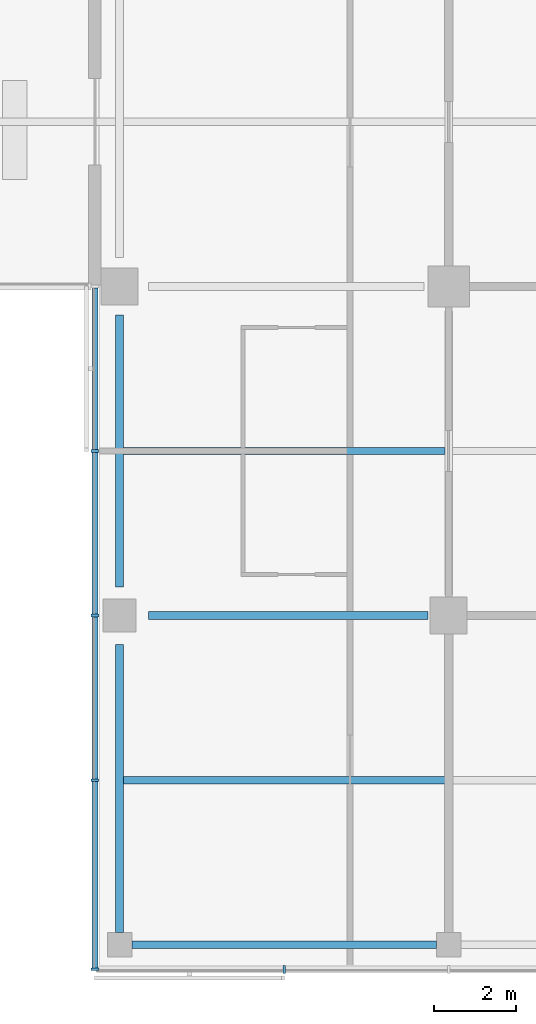
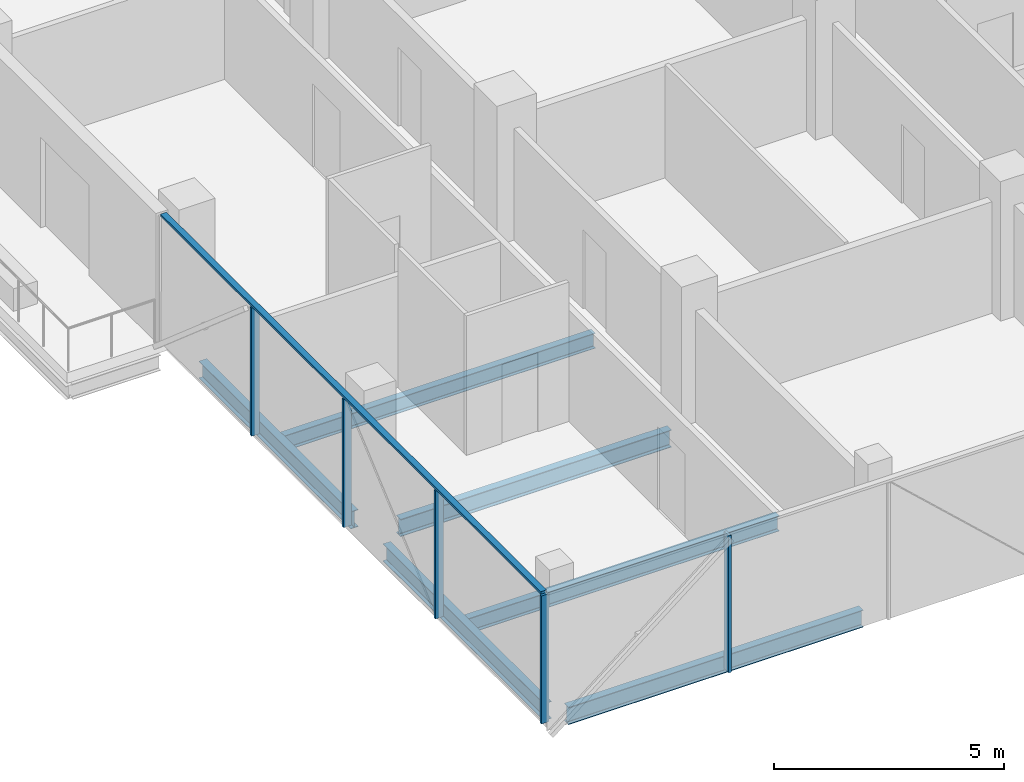
# One storey, part 2 of 25: 6 beams, 6 members, 2 elements without a shape of their own.
"""IFC4 building model written with IfcOpenShell, lengths in metres."""

from ifc_helpers import new_model, si_unit, direction, frame, origin, origin_2d, place, context, subcontext, project, spatial, rectangle, i_section, extrude, material, material_profile, profile_set, type_object, element, aggregate, save


model = new_model("IFC4")

# Units and contexts
model_context = context("Model", 3, precision=1e-05, world=origin(), true_north=direction((0.0, 1.0)))
body_context = subcontext(model_context, "Body", "Model", "MODEL_VIEW")
ifc_project = project(units=[si_unit("LENGTHUNIT", "METRE"), si_unit("AREAUNIT", "SQUARE_METRE"), si_unit("VOLUMEUNIT", "CUBIC_METRE"), si_unit("PLANEANGLEUNIT", "RADIAN"), si_unit("MASSUNIT", "GRAM", prefix="KILO")], contexts=[model_context])

# Site, building, storey
site_placement = place(None, origin())
site = spatial("IfcSite", under=ifc_project, at=site_placement, CompositionType="ELEMENT")
building_placement = place(site_placement, origin())
building = spatial("IfcBuilding", under=site, at=building_placement, Name="Crosswind Convention Tower", CompositionType="ELEMENT")
storey_placement = place(building_placement, frame((0.0, 0.0, 97.89990234375)))
storey = spatial("IfcBuildingStorey", under=building, at=storey_placement, Name="L19", CompositionType="ELEMENT", Elevation=97.89990234375)

# Beams
ifc_material_1 = material(Name="Steel S355", Category="steel")
ifc_material_profile_1 = material_profile(ifc_material_1, i_section(OverallWidth=0.1904296875, OverallDepth=0.457275390625, WebThickness=0.009033203125, FlangeThickness=0.014404296875, FilletRadius=0.01025390625, at=origin_2d()), Name="UB 457x191x75")
ifc_profile_set_1 = profile_set([ifc_material_profile_1], Name="Steel S355")
beam_type_1 = type_object("IfcBeamType", Name="Edge beam UB 457x191x75", PredefinedType="SPANDREL", material=ifc_profile_set_1)
beam_1_placement = place(storey_placement, frame((113.0, 64.300048828125, -0.508544921875), z_axis=(0.0, 1.0, 0.0), x_axis=(-1.0, 0.0, 0.0)))
element("IfcBeam", 1, at=beam_1_placement, inside=storey, type_object=beam_type_1, Name="B17 L19 edge beam 6", PredefinedType="SPANDREL", context=body_context, shape_type="SweptSolid", body=[
    extrude(i_section(OverallWidth=0.1904296875, OverallDepth=0.457275390625, WebThickness=0.009033203125, FlangeThickness=0.014404296875, FilletRadius=0.01025390625, at=origin_2d()), origin(), (0.0, 0.0, 1.0), 7.0),
])
beam_2_placement = place(storey_placement, frame((113.0, 72.699951171875, -0.508544921875), z_axis=(0.0, 1.0, 0.0), x_axis=(-1.0, 0.0, 0.0)))
element("IfcBeam", 2, at=beam_2_placement, inside=storey, type_object=beam_type_1, Name="B17 L19 edge beam 7", PredefinedType="SPANDREL", context=body_context, shape_type="SweptSolid", body=[
    extrude(i_section(OverallWidth=0.1904296875, OverallDepth=0.457275390625, WebThickness=0.009033203125, FlangeThickness=0.014404296875, FilletRadius=0.01025390625, at=origin_2d()), origin(), (0.0, 0.0, 1.0), 6.60009765625),
])
beam_3_placement = place(storey_placement, frame((113.300048828125, 64.0, -0.508544921875), z_axis=(1.0, 0.0, 0.0), x_axis=(0.0, 1.0, 0.0)))
element("IfcBeam", 3, at=beam_3_placement, inside=storey, type_object=beam_type_1, Name="B17 L19 edge beam 12", PredefinedType="SPANDREL", context=body_context, shape_type="SweptSolid", body=[
    extrude(i_section(OverallWidth=0.1904296875, OverallDepth=0.457275390625, WebThickness=0.009033203125, FlangeThickness=0.014404296875, FilletRadius=0.01025390625, at=origin_2d()), origin(), (0.0, 0.0, 1.0), 7.39990234375),
])
ifc_material_profile_2 = material_profile(ifc_material_1, i_section(OverallWidth=0.19140625, OverallDepth=0.460205078125, WebThickness=0.010009765625, FlangeThickness=0.01611328125, FilletRadius=0.01025390625, at=origin_2d()), Name="UB 457x191x82")
ifc_profile_set_2 = profile_set([ifc_material_profile_2], Name="Steel S355")
beam_type_2 = type_object("IfcBeamType", Name="Girder UB 457x191x82", PredefinedType="BEAM", material=ifc_profile_set_2)
beam_4_placement = place(storey_placement, frame((113.699951171875, 72.0, -0.510009765625), z_axis=(1.0, 0.0, 0.0), x_axis=(0.0, 1.0, 0.0)))
element("IfcBeam", 4, at=beam_4_placement, inside=storey, type_object=beam_type_2, Name="B3 L19 girder 1", PredefinedType="BEAM", context=body_context, shape_type="SweptSolid", body=[
    extrude(i_section(OverallWidth=0.19140625, OverallDepth=0.460205078125, WebThickness=0.010009765625, FlangeThickness=0.01611328125, FilletRadius=0.01025390625, at=origin_2d()), origin(), (0.0, 0.0, 1.0), 6.800048828125),
])

# Curtain wall, members
ifc_material_2 = material(Name="Aluminium unitised curtain wall", Category="aluminium")
curtain_wall_type = type_object("IfcCurtainWallType", Name="HOTEL UNITISED WALL 200", PredefinedType="USERDEFINED", material=ifc_material_2)
curtain_wall_1_placement = place(storey_placement, origin())
curtain_wall_1 = element("IfcCurtainWall", 5, at=curtain_wall_1_placement, inside=storey, type_object=curtain_wall_type, Name="CW2 L19 S-W 1", ObjectType="UNITISED", PredefinedType="USERDEFINED")
ifc_material_3 = material(Name="Aluminium mullion", Category="aluminium")
ifc_material_profile_3 = material_profile(ifc_material_3, rectangle(XDim=0.199951171875, YDim=0.06494140625, at=origin_2d()), Name="AL 200X65")
ifc_profile_set_3 = profile_set([ifc_material_profile_3], Name="Aluminium mullion")
member_type_1 = type_object("IfcMemberType", Name="MULLION 65X200", PredefinedType="MULLION", material=ifc_profile_set_3)
member_1_placement = place(storey_placement, frame((112.39990234375, 76.0, -0.044921875), z_axis=(0.0, 0.0, 1.0), x_axis=(-1.0, 0.0, 0.0)))
member_1 = element("IfcMember", 6, at=member_1_placement, type_object=member_type_1, Name="CW2 mullion 2", PredefinedType="MULLION", context=body_context, shape_type="SweptSolid", body=[
    extrude(rectangle(XDim=0.199951171875, YDim=0.06494140625, at=origin_2d()), origin(), (0.0, 0.0, 1.0), 3.39990234375),
])
member_2_placement = place(storey_placement, frame((112.39990234375, 72.0, -0.044921875), z_axis=(0.0, 0.0, 1.0), x_axis=(-1.0, 0.0, 0.0)))
member_2 = element("IfcMember", 7, at=member_2_placement, type_object=member_type_1, Name="CW2 mullion 3", PredefinedType="MULLION", context=body_context, shape_type="SweptSolid", body=[
    extrude(rectangle(XDim=0.199951171875, YDim=0.06494140625, at=origin_2d()), origin(), (0.0, 0.0, 1.0), 3.39990234375),
])
member_3_placement = place(storey_placement, frame((112.39990234375, 68.0, -0.044921875), z_axis=(0.0, 0.0, 1.0), x_axis=(-1.0, 0.0, 0.0)))
member_3 = element("IfcMember", 8, at=member_3_placement, type_object=member_type_1, Name="CW2 mullion 4", PredefinedType="MULLION", context=body_context, shape_type="SweptSolid", body=[
    extrude(rectangle(XDim=0.199951171875, YDim=0.06494140625, at=origin_2d()), origin(), (0.0, 0.0, 1.0), 3.39990234375),
])
member_4_placement = place(storey_placement, frame((112.39990234375, 63.39990234375, -0.044921875), z_axis=(0.0, 0.0, 1.0), x_axis=(-1.0, 0.0, 0.0)))
member_4 = element("IfcMember", 9, at=member_4_placement, type_object=member_type_1, Name="CW2 mullion 5", PredefinedType="MULLION", context=body_context, shape_type="SweptSolid", body=[
    extrude(rectangle(XDim=0.199951171875, YDim=0.06494140625, at=origin_2d()), origin(), (0.0, 0.0, 1.0), 3.39990234375),
])

# Curtain wall, member
curtain_wall_2_placement = place(storey_placement, origin())
curtain_wall_2 = element("IfcCurtainWall", 10, at=curtain_wall_2_placement, inside=storey, type_object=curtain_wall_type, Name="CW2 L19 S-TIP 1", ObjectType="UNITISED", PredefinedType="USERDEFINED")
member_5_placement = place(storey_placement, frame((117.0, 63.39990234375, -0.27978515625), z_axis=(0.0, 0.0, 1.0), x_axis=(0.0, -1.0, 0.0)))
member_5 = element("IfcMember", 11, at=member_5_placement, type_object=member_type_1, Name="CW2 mullion 2", PredefinedType="MULLION", context=body_context, shape_type="SweptSolid", body=[
    extrude(rectangle(XDim=0.199951171875, YDim=0.06494140625, at=origin_2d()), origin(), (0.0, 0.0, 1.0), 3.634765625),
])
aggregate(curtain_wall_2, [member_5])

# Beams
ifc_material_profile_4 = material_profile(ifc_material_1, i_section(OverallWidth=0.177734375, OverallDepth=0.406494140625, WebThickness=0.0078125, FlangeThickness=0.0126953125, FilletRadius=0.01025390625, at=origin_2d()), Name="UB 406x178x60")
ifc_profile_set_4 = profile_set([ifc_material_profile_4], Name="Steel S355")
beam_type_3 = type_object("IfcBeamType", Name="Secondary beam UB 406x178x60", PredefinedType="JOIST", material=ifc_profile_set_4)
for number, where, z_axis, x_axis, name in (
    (12, (113.09521484375, 68.0, -0.483154296875), (1.0, 0.0, 0.0), (0.0, 1.0, 0.0), "B10 L19 secondary beam 7"),
    (13, (113.09521484375, 76.0, -0.483154296875), (1.0, 0.0, 0.0), (0.0, 1.0, 0.0), "B10 L19 secondary beam 8"),
):
    element("IfcBeam", number, at=place(storey_placement, frame(where, z_axis=z_axis, x_axis=x_axis)), inside=storey, type_object=beam_type_3, Name=name, PredefinedType="JOIST", context=body_context, shape_type="SweptSolid", body=[
        extrude(i_section(OverallWidth=0.177734375, OverallDepth=0.406494140625, WebThickness=0.0078125, FlangeThickness=0.0126953125, FilletRadius=0.01025390625, at=origin_2d()), origin(), (0.0, 0.0, 1.0), 7.80908203125),
    ])

# Member
ifc_material_4 = material(Name="Aluminium transom", Category="aluminium")
ifc_material_profile_5 = material_profile(ifc_material_4, rectangle(XDim=0.14990234375, YDim=0.06494140625, at=origin_2d()), Name="AL 150X65")
ifc_profile_set_5 = profile_set([ifc_material_profile_5], Name="Aluminium transom")
member_type_2 = type_object("IfcMemberType", Name="TRANSOM 65X150", PredefinedType="USERDEFINED", material=ifc_profile_set_5)
member_6_placement = place(storey_placement, frame((112.39990234375, 79.967529296875, 3.3876953125), z_axis=(0.0, -1.0, 0.0), x_axis=(1.0, 0.0, 0.0)))
member_6 = element("IfcMember", 14, at=member_6_placement, type_object=member_type_2, Name="CW2 transom", ObjectType="TRANSOM", PredefinedType="USERDEFINED", context=body_context, shape_type="SweptSolid", body=[
    extrude(rectangle(XDim=0.14990234375, YDim=0.06494140625, at=origin_2d()), origin(), (0.0, 0.0, 1.0), 16.534912109375),
])

aggregate(curtain_wall_1, [member_1, member_2, member_3, member_4, member_6])

save(model, "model.ifc")
